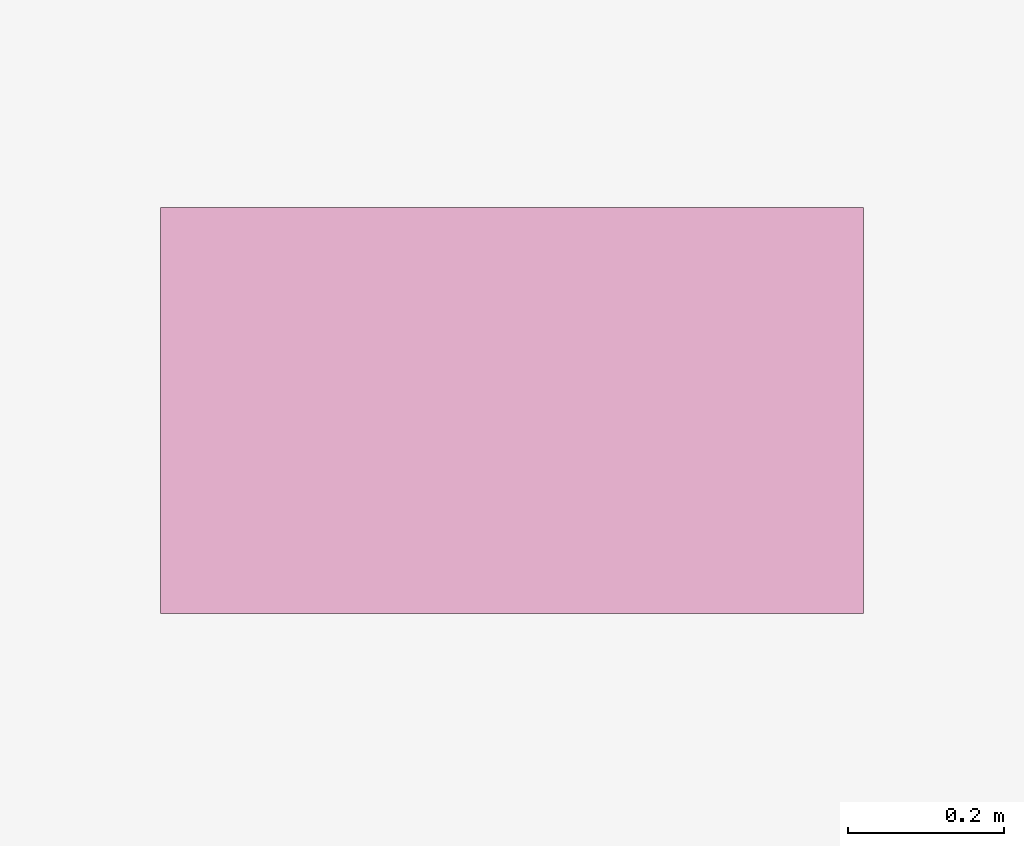
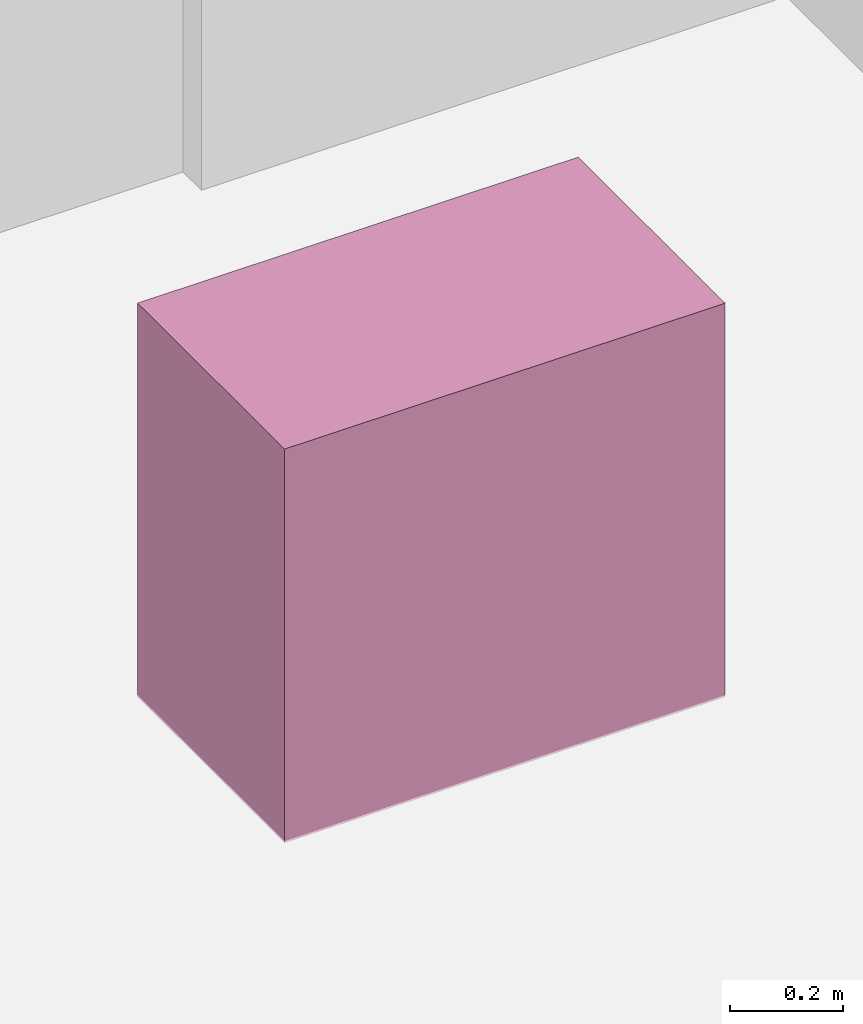
# One storey, part 29 of 29: 1 furnishing.
"""IFC4 building model written with IfcOpenShell, lengths in metres."""

from ifc_helpers import new_model, si_unit, direction, frame, origin, origin_2d, place, context, subcontext, project, spatial, rectangle, extrude, material, type_object, element, save


model = new_model("IFC4")

# Units and contexts
model_context = context("Model", 3, precision=1e-05, world=origin(), true_north=direction((0.0, 1.0)))
body_context = subcontext(model_context, "Body", "Model", "MODEL_VIEW")
ifc_project = project(units=[si_unit("LENGTHUNIT", "METRE"), si_unit("AREAUNIT", "SQUARE_METRE"), si_unit("VOLUMEUNIT", "CUBIC_METRE"), si_unit("PLANEANGLEUNIT", "RADIAN"), si_unit("MASSUNIT", "GRAM", prefix="KILO")], contexts=[model_context])

# Site, building, storey
site_placement = place(None, origin())
site = spatial("IfcSite", under=ifc_project, at=site_placement, CompositionType="ELEMENT")
building_placement = place(site_placement, origin())
building = spatial("IfcBuilding", under=site, at=building_placement, Name="Vorneva Point Tower", CompositionType="ELEMENT")
storey_placement = place(building_placement, frame((0.0, 0.0, 110.300048828125)))
storey = spatial("IfcBuildingStorey", under=building, at=storey_placement, Name="L29", CompositionType="ELEMENT", Elevation=110.300048828125)

# Furnishing
ifc_material = material(Name="Vitreous china and granite top", Category="masonry")
furniture_type = type_object("IfcFurnitureType", Name="FUR-VAN-900", AssemblyPlace="NOTDEFINED", PredefinedType="NOTDEFINED", material=ifc_material)
furnishing_placement = place(storey_placement, frame((37.97509765625, 32.1201171875, -0.005126953125), z_axis=(0.0, 0.0, 1.0), x_axis=(1.0, 0.0, 0.0)))
element("IfcFurnishingElement", 1, at=furnishing_placement, inside=storey, type_object=furniture_type, Name="L29 Accessible WC Vanity Unit", ObjectType="L29 Accessible WC Vanity Unit", context=body_context, shape_type="SweptSolid", body=[
    extrude(rectangle(XDim=0.89990234375, YDim=0.52001953125, at=origin_2d()), origin(), (0.0, 0.0, 1.0), 0.85009765625),
])

save(model, "model.ifc")
